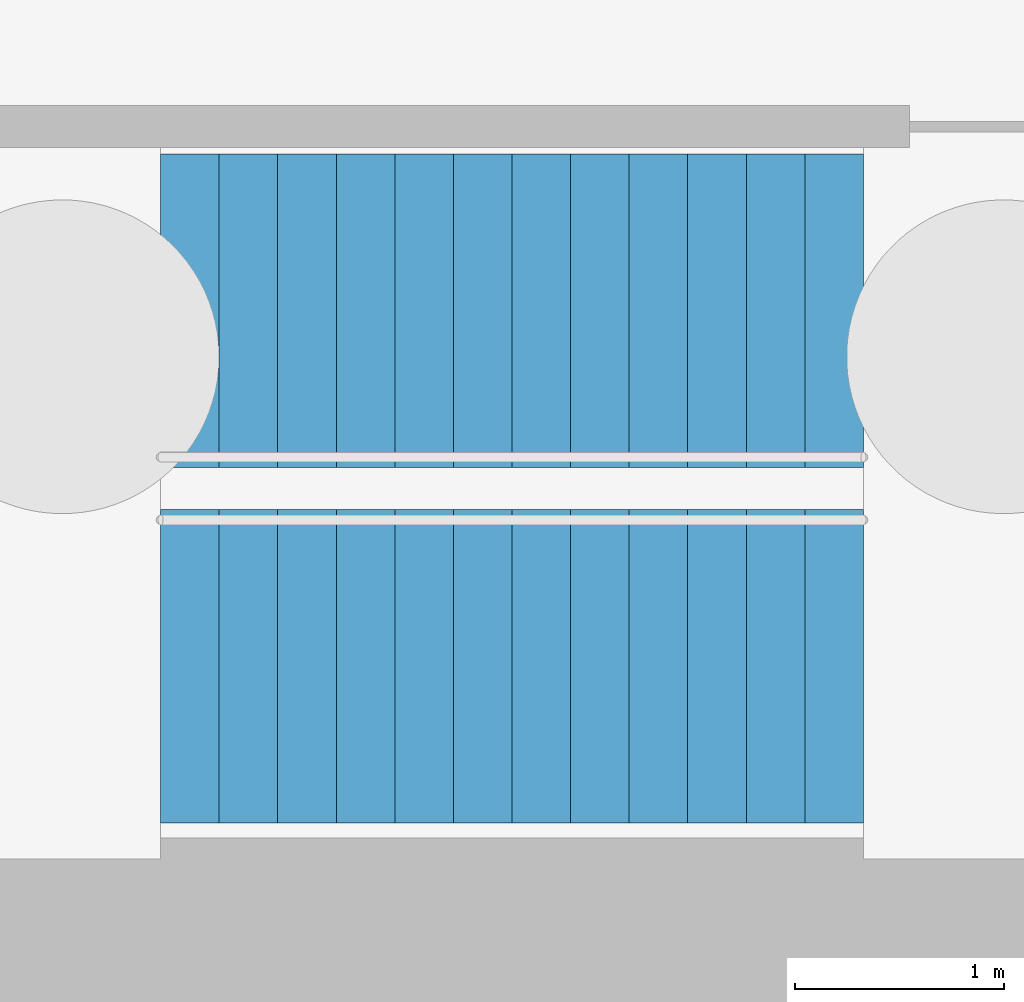
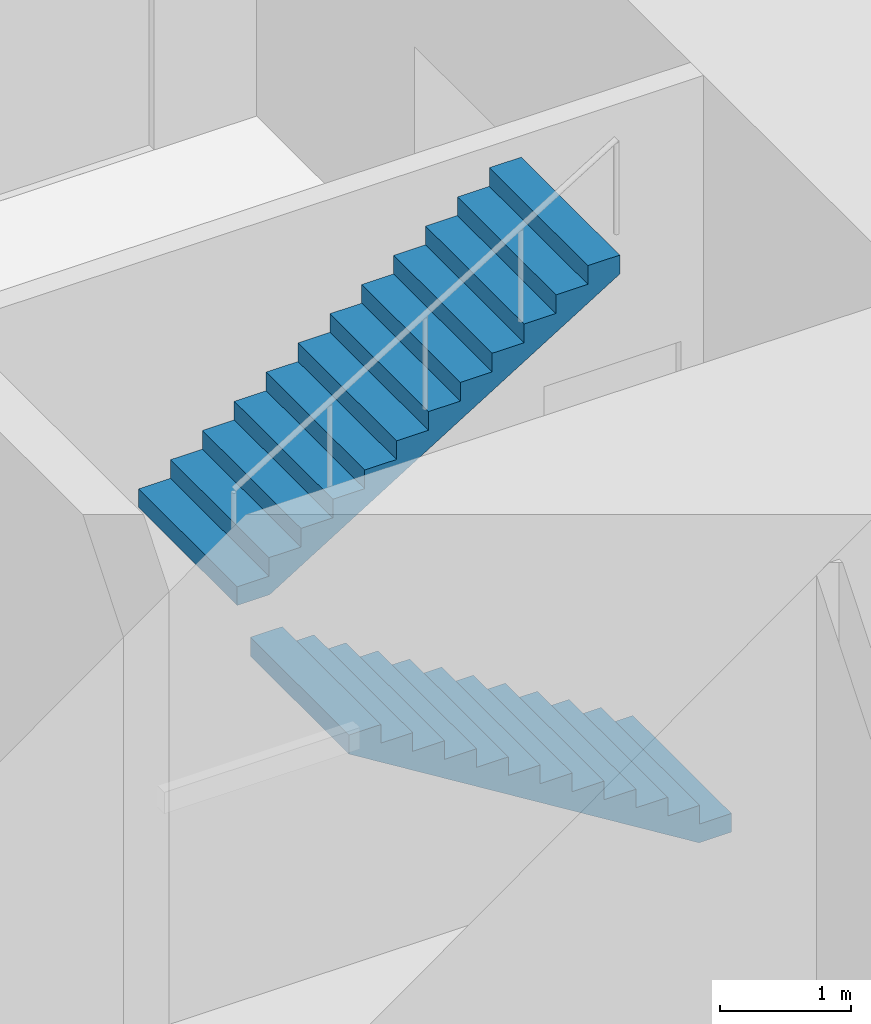
# One storey, part 9 of 11: 2 stair flights, 1 element without a shape of its own.
"""IFC4 building model written with IfcOpenShell, lengths in metres."""

from ifc_helpers import new_model, si_unit, direction, frame, origin, place, context, subcontext, project, spatial, triangles, material, type_object, element, aggregate, save


model = new_model("IFC4")

# Units and contexts
model_context = context("Model", 3, precision=1e-05, world=origin(), true_north=direction((0.0, 1.0)))
body_context = subcontext(model_context, "Body", "Model", "MODEL_VIEW")
ifc_project = project(units=[si_unit("LENGTHUNIT", "METRE"), si_unit("AREAUNIT", "SQUARE_METRE"), si_unit("VOLUMEUNIT", "CUBIC_METRE"), si_unit("PLANEANGLEUNIT", "RADIAN"), si_unit("MASSUNIT", "GRAM", prefix="KILO")], contexts=[model_context])

# Site, building, storey
site_placement = place(None, origin())
site = spatial("IfcSite", under=ifc_project, at=site_placement, CompositionType="ELEMENT")
building_placement = place(site_placement, origin())
building = spatial("IfcBuilding", under=site, at=building_placement, Name="Lantaw Convention Tower", CompositionType="ELEMENT")
storey_placement = place(building_placement, frame((0.0, 0.0, -10.0)))
storey = spatial("IfcBuildingStorey", under=building, at=storey_placement, Name="B2", CompositionType="ELEMENT", Elevation=-10.0)

# Stair, stair flights
ifc_material = material(Name="Concrete C35/45", Category="concrete")
stair_type = type_object("IfcStairType", Name="Exit stair 1500 riser 173.08 in 2 flights", PredefinedType="HALF_TURN_STAIR", material=ifc_material)
stair_placement = place(storey_placement, origin())
stair = element("IfcStair", 1, at=stair_placement, inside=storey, type_object=stair_type, Name="Exit stair S2 B2", PredefinedType="HALF_TURN_STAIR")
stair_flight_type = type_object("IfcStairFlightType", Name="Stair flight 1500 riser 173.08", PredefinedType="STRAIGHT", material=ifc_material)
stair_flight_1_placement = place(storey_placement, frame((10.580078125, -5.97998046875, 0.0), z_axis=(0.0, 0.0, 1.0), x_axis=(-1.0, 0.0, 0.0)))
stair_flight_1 = element("IfcStairFlight", 2, at=stair_flight_1_placement, type_object=stair_flight_type, Name="S2 flight 1", NumberOfRisers=13, NumberOfTreads=12, PredefinedType="STRAIGHT", RiserHeight=0.173076923, TreadLength=0.28, context=body_context, shape_type="Tessellation", body=[
    triangles([(0.0, 0.75, 0.0), (0.0, 0.75, 0.173076923), (0.28, 0.75, 0.0), (0.28, 0.75, 0.173076923), (0.28, 0.75, 0.346153846), (0.28509853184261624, 0.75, 0.0), (0.28509853184261624, 0.75, 0.346153846), (0.56, 0.75, 0.16992535798879452), (0.56, 0.75, 0.346153846), (0.56, 0.75, 0.519230769), (0.8400000000000001, 0.75, 0.34300228098879454), (0.8400000000000001, 0.75, 0.519230769), (0.8400000000000001, 0.75, 0.692307692), (1.12, 0.75, 0.5160792039887945), (1.12, 0.75, 0.692307692), (1.12, 0.75, 0.865384615), (1.4000000000000001, 0.75, 0.6891561269887945), (1.4000000000000001, 0.75, 0.865384615), (1.4000000000000001, 0.75, 1.038461538), (1.6800000000000002, 0.75, 0.8622330499887946), (1.6800000000000002, 0.75, 1.038461538), (1.6800000000000002, 0.75, 1.211538461), (1.9600000000000002, 0.75, 1.0353099729887945), (1.9600000000000002, 0.75, 1.211538461), (1.9600000000000002, 0.75, 1.384615384), (2.24, 0.75, 1.2083868959887945), (2.24, 0.75, 1.384615384), (2.24, 0.75, 1.557692307), (2.5200000000000005, 0.75, 1.3814638189887947), (2.5200000000000005, 0.75, 1.557692307), (2.5200000000000005, 0.75, 1.73076923), (2.8000000000000003, 0.75, 1.5545407419887944), (2.8000000000000003, 0.75, 1.73076923), (2.8000000000000003, 0.75, 1.903846153), (3.08, 0.75, 1.7276176649887944), (3.08, 0.75, 1.903846153), (3.08, 0.75, 2.076923076), (3.3600000000000003, 0.75, 1.9006945879887944), (3.3600000000000003, 0.75, 2.076923076), (0.0, -0.75, 0.0), (0.0, -0.75, 0.173076923), (0.28, -0.75, 0.0), (0.28, -0.75, 0.173076923), (0.28, -0.75, 0.346153846), (0.28509853184261624, -0.75, 0.0), (0.28509853184261624, -0.75, 0.346153846), (0.56, -0.75, 0.16992535798879452), (0.56, -0.75, 0.346153846), (0.56, -0.75, 0.519230769), (0.8400000000000001, -0.75, 0.34300228098879454), (0.8400000000000001, -0.75, 0.519230769), (0.8400000000000001, -0.75, 0.692307692), (1.12, -0.75, 0.5160792039887945), (1.12, -0.75, 0.692307692), (1.12, -0.75, 0.865384615), (1.4000000000000001, -0.75, 0.6891561269887945), (1.4000000000000001, -0.75, 0.865384615), (1.4000000000000001, -0.75, 1.038461538), (1.6800000000000002, -0.75, 0.8622330499887946), (1.6800000000000002, -0.75, 1.038461538), (1.6800000000000002, -0.75, 1.211538461), (1.9600000000000002, -0.75, 1.0353099729887945), (1.9600000000000002, -0.75, 1.211538461), (1.9600000000000002, -0.75, 1.384615384), (2.24, -0.75, 1.2083868959887945), (2.24, -0.75, 1.384615384), (2.24, -0.75, 1.557692307), (2.5200000000000005, -0.75, 1.3814638189887947), (2.5200000000000005, -0.75, 1.557692307), (2.5200000000000005, -0.75, 1.73076923), (2.8000000000000003, -0.75, 1.5545407419887944), (2.8000000000000003, -0.75, 1.73076923), (2.8000000000000003, -0.75, 1.903846153), (3.08, -0.75, 1.7276176649887944), (3.08, -0.75, 1.903846153), (3.08, -0.75, 2.076923076), (3.3600000000000003, -0.75, 1.9006945879887944), (3.3600000000000003, -0.75, 2.076923076), (0.0, 0.15000000000000002, 0.173076923), (0.0, 0.15000000000000002, 0.0), (0.0, 0.0, 0.173076923), (0.0, 0.0, 0.0), (0.0, -0.15000000000000002, 0.173076923), (0.0, -0.15000000000000002, 0.0), (0.28, 0.15000000000000002, 0.346153846), (0.28, 0.15000000000000002, 0.173076923), (0.28, 0.0, 0.346153846), (0.28, 0.0, 0.173076923), (0.28, -0.15000000000000002, 0.346153846), (0.28, -0.15000000000000002, 0.173076923), (0.56, 0.15000000000000002, 0.519230769), (0.56, 0.15000000000000002, 0.346153846), (0.56, 0.0, 0.519230769), (0.56, 0.0, 0.346153846), (0.56, -0.15000000000000002, 0.519230769), (0.56, -0.15000000000000002, 0.346153846), (0.8400000000000001, 0.15000000000000002, 0.692307692), (0.8400000000000001, 0.15000000000000002, 0.519230769), (0.8400000000000001, 0.0, 0.692307692), (0.8400000000000001, 0.0, 0.519230769), (0.8400000000000001, -0.15000000000000002, 0.692307692), (0.8400000000000001, -0.15000000000000002, 0.519230769), (1.12, 0.15000000000000002, 0.865384615), (1.12, 0.15000000000000002, 0.692307692), (1.12, 0.0, 0.865384615), (1.12, 0.0, 0.692307692), (1.12, -0.15000000000000002, 0.865384615), (1.12, -0.15000000000000002, 0.692307692), (1.4000000000000001, 0.15000000000000002, 1.038461538), (1.4000000000000001, 0.15000000000000002, 0.865384615), (1.4000000000000001, 0.0, 1.038461538), (1.4000000000000001, 0.0, 0.865384615), (1.4000000000000001, -0.15000000000000002, 1.038461538), (1.4000000000000001, -0.15000000000000002, 0.865384615), (1.6800000000000002, 0.15000000000000002, 1.211538461), (1.6800000000000002, 0.15000000000000002, 1.038461538), (1.6800000000000002, 0.0, 1.211538461), (1.6800000000000002, 0.0, 1.038461538), (1.6800000000000002, -0.15000000000000002, 1.211538461), (1.6800000000000002, -0.15000000000000002, 1.038461538), (1.9600000000000002, 0.15000000000000002, 1.384615384), (1.9600000000000002, 0.15000000000000002, 1.211538461), (1.9600000000000002, 0.0, 1.384615384), (1.9600000000000002, 0.0, 1.211538461), (1.9600000000000002, -0.15000000000000002, 1.384615384), (1.9600000000000002, -0.15000000000000002, 1.211538461), (2.24, 0.15000000000000002, 1.557692307), (2.24, 0.15000000000000002, 1.384615384), (2.24, 0.0, 1.557692307), (2.24, 0.0, 1.384615384), (2.24, -0.15000000000000002, 1.557692307), (2.24, -0.15000000000000002, 1.384615384), (2.5200000000000005, 0.15000000000000002, 1.73076923), (2.5200000000000005, 0.15000000000000002, 1.557692307), (2.5200000000000005, 0.0, 1.73076923), (2.5200000000000005, 0.0, 1.557692307), (2.5200000000000005, -0.15000000000000002, 1.73076923), (2.5200000000000005, -0.15000000000000002, 1.557692307), (2.8000000000000003, 0.15000000000000002, 1.903846153), (2.8000000000000003, 0.15000000000000002, 1.73076923), (2.8000000000000003, 0.0, 1.903846153), (2.8000000000000003, 0.0, 1.73076923), (2.8000000000000003, -0.15000000000000002, 1.903846153), (2.8000000000000003, -0.15000000000000002, 1.73076923), (3.08, 0.15000000000000002, 2.076923076), (3.08, 0.15000000000000002, 1.903846153), (3.08, 0.0, 2.076923076), (3.08, 0.0, 1.903846153), (3.08, -0.15000000000000002, 2.076923076), (3.08, -0.15000000000000002, 1.903846153), (0.28509853184261624, 0.15000000000000002, 0.346153846), (0.28509853184261624, 0.0, 0.346153846), (0.28509853184261624, -0.15000000000000002, 0.346153846), (3.3600000000000003, 0.15000000000000002, 2.076923076), (3.3600000000000003, 0.0, 2.076923076), (3.3600000000000003, -0.15000000000000002, 2.076923076), (3.3600000000000003, 0.15000000000000002, 1.9006945879887942), (3.3600000000000003, 0.0, 1.9006945879887942), (3.3600000000000003, -0.15000000000000002, 1.9006945879887942), (3.08, 0.15000000000000002, 1.7276176649887944), (3.08, 0.0, 1.7276176649887944), (3.08, -0.15000000000000002, 1.7276176649887944), (2.8000000000000003, 0.15000000000000002, 1.5545407419887944), (2.8000000000000003, 0.0, 1.5545407419887944), (2.8000000000000003, -0.15000000000000002, 1.5545407419887944), (2.5200000000000005, 0.15000000000000002, 1.3814638189887947), (2.5200000000000005, 0.0, 1.3814638189887947), (2.5200000000000005, -0.15000000000000002, 1.3814638189887947), (2.24, 0.15000000000000002, 1.2083868959887945), (2.24, 0.0, 1.2083868959887945), (2.24, -0.15000000000000002, 1.2083868959887945), (1.9600000000000002, 0.15000000000000002, 1.0353099729887945), (1.9600000000000002, 0.0, 1.0353099729887945), (1.9600000000000002, -0.15000000000000002, 1.0353099729887945), (1.6800000000000002, 0.15000000000000002, 0.8622330499887946), (1.6800000000000002, 0.0, 0.8622330499887946), (1.6800000000000002, -0.15000000000000002, 0.8622330499887946), (1.4000000000000001, 0.15000000000000002, 0.6891561269887945), (1.4000000000000001, 0.0, 0.6891561269887945), (1.4000000000000001, -0.15000000000000002, 0.6891561269887945), (1.12, 0.15000000000000002, 0.5160792039887945), (1.12, 0.0, 0.5160792039887945), (1.12, -0.15000000000000002, 0.5160792039887945), (0.8400000000000001, 0.15000000000000002, 0.34300228098879454), (0.8400000000000001, 0.0, 0.34300228098879454), (0.8400000000000001, -0.15000000000000002, 0.34300228098879454), (0.56, 0.15000000000000002, 0.16992535798879452), (0.56, 0.0, 0.16992535798879452), (0.56, -0.15000000000000002, 0.16992535798879452), (0.28509853184261624, 0.15000000000000002, 0.0), (0.28509853184261624, 0.0, 0.0), (0.28509853184261624, -0.15000000000000002, 0.0), (0.28, 0.15000000000000002, 0.0), (0.28, 0.0, 0.0), (0.28, -0.15000000000000002, 0.0)], [[1, 4, 3], [1, 2, 4], [3, 4, 6], [4, 7, 6], [4, 5, 7], [6, 9, 8], [6, 7, 9], [8, 9, 11], [9, 12, 11], [9, 10, 12], [11, 12, 14], [12, 15, 14], [12, 13, 15], [14, 15, 17], [15, 18, 17], [15, 16, 18], [17, 18, 20], [18, 21, 20], [18, 19, 21], [20, 21, 23], [21, 24, 23], [21, 22, 24], [23, 24, 26], [24, 27, 26], [24, 25, 27], [26, 27, 29], [27, 30, 29], [27, 28, 30], [29, 30, 32], [30, 33, 32], [30, 31, 33], [32, 33, 35], [33, 36, 35], [33, 34, 36], [35, 36, 38], [36, 39, 38], [36, 37, 39], [40, 42, 43], [40, 43, 41], [42, 45, 43], [43, 45, 46], [43, 46, 44], [45, 47, 48], [45, 48, 46], [47, 50, 48], [48, 50, 51], [48, 51, 49], [50, 53, 51], [51, 53, 54], [51, 54, 52], [53, 56, 54], [54, 56, 57], [54, 57, 55], [56, 59, 57], [57, 59, 60], [57, 60, 58], [59, 62, 60], [60, 62, 63], [60, 63, 61], [62, 65, 63], [63, 65, 66], [63, 66, 64], [65, 68, 66], [66, 68, 69], [66, 69, 67], [68, 71, 69], [69, 71, 72], [69, 72, 70], [71, 74, 72], [72, 74, 75], [72, 75, 73], [74, 77, 75], [75, 77, 78], [75, 78, 76], [1, 79, 2], [1, 80, 79], [80, 81, 79], [80, 82, 81], [82, 83, 81], [82, 84, 83], [84, 41, 83], [84, 40, 41], [4, 85, 5], [4, 86, 85], [86, 87, 85], [86, 88, 87], [88, 89, 87], [88, 90, 89], [90, 44, 89], [90, 43, 44], [9, 91, 10], [9, 92, 91], [92, 93, 91], [92, 94, 93], [94, 95, 93], [94, 96, 95], [96, 49, 95], [96, 48, 49], [12, 97, 13], [12, 98, 97], [98, 99, 97], [98, 100, 99], [100, 101, 99], [100, 102, 101], [102, 52, 101], [102, 51, 52], [15, 103, 16], [15, 104, 103], [104, 105, 103], [104, 106, 105], [106, 107, 105], [106, 108, 107], [108, 55, 107], [108, 54, 55], [18, 109, 19], [18, 110, 109], [110, 111, 109], [110, 112, 111], [112, 113, 111], [112, 114, 113], [114, 58, 113], [114, 57, 58], [21, 115, 22], [21, 116, 115], [116, 117, 115], [116, 118, 117], [118, 119, 117], [118, 120, 119], [120, 61, 119], [120, 60, 61], [24, 121, 25], [24, 122, 121], [122, 123, 121], [122, 124, 123], [124, 125, 123], [124, 126, 125], [126, 64, 125], [126, 63, 64], [27, 127, 28], [27, 128, 127], [128, 129, 127], [128, 130, 129], [130, 131, 129], [130, 132, 131], [132, 67, 131], [132, 66, 67], [30, 133, 31], [30, 134, 133], [134, 135, 133], [134, 136, 135], [136, 137, 135], [136, 138, 137], [138, 70, 137], [138, 69, 70], [33, 139, 34], [33, 140, 139], [140, 141, 139], [140, 142, 141], [142, 143, 141], [142, 144, 143], [144, 73, 143], [144, 72, 73], [36, 145, 37], [36, 146, 145], [146, 147, 145], [146, 148, 147], [148, 149, 147], [148, 150, 149], [150, 76, 149], [150, 75, 76], [2, 86, 4], [2, 79, 86], [79, 88, 86], [79, 81, 88], [81, 90, 88], [81, 83, 90], [83, 43, 90], [83, 41, 43], [5, 151, 7], [5, 85, 151], [85, 152, 151], [85, 87, 152], [87, 153, 152], [87, 89, 153], [89, 46, 153], [89, 44, 46], [7, 92, 9], [7, 151, 92], [151, 94, 92], [151, 152, 94], [152, 96, 94], [152, 153, 96], [153, 48, 96], [153, 46, 48], [10, 98, 12], [10, 91, 98], [91, 100, 98], [91, 93, 100], [93, 102, 100], [93, 95, 102], [95, 51, 102], [95, 49, 51], [13, 104, 15], [13, 97, 104], [97, 106, 104], [97, 99, 106], [99, 108, 106], [99, 101, 108], [101, 54, 108], [101, 52, 54], [16, 110, 18], [16, 103, 110], [103, 112, 110], [103, 105, 112], [105, 114, 112], [105, 107, 114], [107, 57, 114], [107, 55, 57], [19, 116, 21], [19, 109, 116], [109, 118, 116], [109, 111, 118], [111, 120, 118], [111, 113, 120], [113, 60, 120], [113, 58, 60], [22, 122, 24], [22, 115, 122], [115, 124, 122], [115, 117, 124], [117, 126, 124], [117, 119, 126], [119, 63, 126], [119, 61, 63], [25, 128, 27], [25, 121, 128], [121, 130, 128], [121, 123, 130], [123, 132, 130], [123, 125, 132], [125, 66, 132], [125, 64, 66], [28, 134, 30], [28, 127, 134], [127, 136, 134], [127, 129, 136], [129, 138, 136], [129, 131, 138], [131, 69, 138], [131, 67, 69], [31, 140, 33], [31, 133, 140], [133, 142, 140], [133, 135, 142], [135, 144, 142], [135, 137, 144], [137, 72, 144], [137, 70, 72], [34, 146, 36], [34, 139, 146], [139, 148, 146], [139, 141, 148], [141, 150, 148], [141, 143, 150], [143, 75, 150], [143, 73, 75], [37, 154, 39], [37, 145, 154], [145, 155, 154], [145, 147, 155], [147, 156, 155], [147, 149, 156], [149, 78, 156], [149, 76, 78], [39, 157, 38], [39, 154, 157], [154, 158, 157], [154, 155, 158], [155, 159, 158], [155, 156, 159], [156, 77, 159], [156, 78, 77], [38, 160, 35], [38, 157, 160], [157, 161, 160], [157, 158, 161], [158, 162, 161], [158, 159, 162], [159, 74, 162], [159, 77, 74], [35, 163, 32], [35, 160, 163], [160, 164, 163], [160, 161, 164], [161, 165, 164], [161, 162, 165], [162, 71, 165], [162, 74, 71], [32, 166, 29], [32, 163, 166], [163, 167, 166], [163, 164, 167], [164, 168, 167], [164, 165, 168], [165, 68, 168], [165, 71, 68], [29, 169, 26], [29, 166, 169], [166, 170, 169], [166, 167, 170], [167, 171, 170], [167, 168, 171], [168, 65, 171], [168, 68, 65], [26, 172, 23], [26, 169, 172], [169, 173, 172], [169, 170, 173], [170, 174, 173], [170, 171, 174], [171, 62, 174], [171, 65, 62], [23, 175, 20], [23, 172, 175], [172, 176, 175], [172, 173, 176], [173, 177, 176], [173, 174, 177], [174, 59, 177], [174, 62, 59], [20, 178, 17], [20, 175, 178], [175, 179, 178], [175, 176, 179], [176, 180, 179], [176, 177, 180], [177, 56, 180], [177, 59, 56], [17, 181, 14], [17, 178, 181], [178, 182, 181], [178, 179, 182], [179, 183, 182], [179, 180, 183], [180, 53, 183], [180, 56, 53], [14, 184, 11], [14, 181, 184], [181, 185, 184], [181, 182, 185], [182, 186, 185], [182, 183, 186], [183, 50, 186], [183, 53, 50], [11, 187, 8], [11, 184, 187], [184, 188, 187], [184, 185, 188], [185, 189, 188], [185, 186, 189], [186, 47, 189], [186, 50, 47], [8, 190, 6], [8, 187, 190], [187, 191, 190], [187, 188, 191], [188, 192, 191], [188, 189, 192], [189, 45, 192], [189, 47, 45], [6, 193, 3], [6, 190, 193], [190, 194, 193], [190, 191, 194], [191, 195, 194], [191, 192, 195], [192, 42, 195], [192, 45, 42], [3, 80, 1], [3, 193, 80], [193, 82, 80], [193, 194, 82], [194, 84, 82], [194, 195, 84], [195, 40, 84], [195, 42, 40]], closed=True),
])
stair_flight_2_placement = place(storey_placement, frame((7.219970703125, -4.280029296875, 2.25), z_axis=(0.0, 0.0, 1.0), x_axis=(1.0, 0.0, 0.0)))
stair_flight_2 = element("IfcStairFlight", 3, at=stair_flight_2_placement, type_object=stair_flight_type, Name="S2 flight 2", NumberOfRisers=13, NumberOfTreads=12, PredefinedType="STRAIGHT", RiserHeight=0.173076923, TreadLength=0.28, context=body_context, shape_type="Tessellation", body=[
    triangles([(0.0, 0.75, 0.0), (0.0, 0.75, 0.173076923), (0.28, 0.75, 0.0), (0.28, 0.75, 0.173076923), (0.28, 0.75, 0.346153846), (0.28509853184261624, 0.75, 0.0), (0.28509853184261624, 0.75, 0.346153846), (0.56, 0.75, 0.16992535798879452), (0.56, 0.75, 0.346153846), (0.56, 0.75, 0.519230769), (0.8400000000000001, 0.75, 0.34300228098879454), (0.8400000000000001, 0.75, 0.519230769), (0.8400000000000001, 0.75, 0.692307692), (1.12, 0.75, 0.5160792039887945), (1.12, 0.75, 0.692307692), (1.12, 0.75, 0.865384615), (1.4000000000000001, 0.75, 0.6891561269887945), (1.4000000000000001, 0.75, 0.865384615), (1.4000000000000001, 0.75, 1.038461538), (1.6800000000000002, 0.75, 0.8622330499887946), (1.6800000000000002, 0.75, 1.038461538), (1.6800000000000002, 0.75, 1.211538461), (1.9600000000000002, 0.75, 1.0353099729887945), (1.9600000000000002, 0.75, 1.211538461), (1.9600000000000002, 0.75, 1.384615384), (2.24, 0.75, 1.2083868959887945), (2.24, 0.75, 1.384615384), (2.24, 0.75, 1.557692307), (2.5200000000000005, 0.75, 1.3814638189887947), (2.5200000000000005, 0.75, 1.557692307), (2.5200000000000005, 0.75, 1.73076923), (2.8000000000000003, 0.75, 1.5545407419887944), (2.8000000000000003, 0.75, 1.73076923), (2.8000000000000003, 0.75, 1.903846153), (3.08, 0.75, 1.7276176649887944), (3.08, 0.75, 1.903846153), (3.08, 0.75, 2.076923076), (3.3600000000000003, 0.75, 1.9006945879887944), (3.3600000000000003, 0.75, 2.076923076), (0.0, -0.75, 0.0), (0.0, -0.75, 0.173076923), (0.28, -0.75, 0.0), (0.28, -0.75, 0.173076923), (0.28, -0.75, 0.346153846), (0.28509853184261624, -0.75, 0.0), (0.28509853184261624, -0.75, 0.346153846), (0.56, -0.75, 0.16992535798879452), (0.56, -0.75, 0.346153846), (0.56, -0.75, 0.519230769), (0.8400000000000001, -0.75, 0.34300228098879454), (0.8400000000000001, -0.75, 0.519230769), (0.8400000000000001, -0.75, 0.692307692), (1.12, -0.75, 0.5160792039887945), (1.12, -0.75, 0.692307692), (1.12, -0.75, 0.865384615), (1.4000000000000001, -0.75, 0.6891561269887945), (1.4000000000000001, -0.75, 0.865384615), (1.4000000000000001, -0.75, 1.038461538), (1.6800000000000002, -0.75, 0.8622330499887946), (1.6800000000000002, -0.75, 1.038461538), (1.6800000000000002, -0.75, 1.211538461), (1.9600000000000002, -0.75, 1.0353099729887945), (1.9600000000000002, -0.75, 1.211538461), (1.9600000000000002, -0.75, 1.384615384), (2.24, -0.75, 1.2083868959887945), (2.24, -0.75, 1.384615384), (2.24, -0.75, 1.557692307), (2.5200000000000005, -0.75, 1.3814638189887947), (2.5200000000000005, -0.75, 1.557692307), (2.5200000000000005, -0.75, 1.73076923), (2.8000000000000003, -0.75, 1.5545407419887944), (2.8000000000000003, -0.75, 1.73076923), (2.8000000000000003, -0.75, 1.903846153), (3.08, -0.75, 1.7276176649887944), (3.08, -0.75, 1.903846153), (3.08, -0.75, 2.076923076), (3.3600000000000003, -0.75, 1.9006945879887944), (3.3600000000000003, -0.75, 2.076923076), (0.0, 0.15000000000000002, 0.173076923), (0.0, 0.15000000000000002, 0.0), (0.0, 0.0, 0.173076923), (0.0, 0.0, 0.0), (0.0, -0.15000000000000002, 0.173076923), (0.0, -0.15000000000000002, 0.0), (0.28, 0.15000000000000002, 0.346153846), (0.28, 0.15000000000000002, 0.173076923), (0.28, 0.0, 0.346153846), (0.28, 0.0, 0.173076923), (0.28, -0.15000000000000002, 0.346153846), (0.28, -0.15000000000000002, 0.173076923), (0.56, 0.15000000000000002, 0.519230769), (0.56, 0.15000000000000002, 0.346153846), (0.56, 0.0, 0.519230769), (0.56, 0.0, 0.346153846), (0.56, -0.15000000000000002, 0.519230769), (0.56, -0.15000000000000002, 0.346153846), (0.8400000000000001, 0.15000000000000002, 0.692307692), (0.8400000000000001, 0.15000000000000002, 0.519230769), (0.8400000000000001, 0.0, 0.692307692), (0.8400000000000001, 0.0, 0.519230769), (0.8400000000000001, -0.15000000000000002, 0.692307692), (0.8400000000000001, -0.15000000000000002, 0.519230769), (1.12, 0.15000000000000002, 0.865384615), (1.12, 0.15000000000000002, 0.692307692), (1.12, 0.0, 0.865384615), (1.12, 0.0, 0.692307692), (1.12, -0.15000000000000002, 0.865384615), (1.12, -0.15000000000000002, 0.692307692), (1.4000000000000001, 0.15000000000000002, 1.038461538), (1.4000000000000001, 0.15000000000000002, 0.865384615), (1.4000000000000001, 0.0, 1.038461538), (1.4000000000000001, 0.0, 0.865384615), (1.4000000000000001, -0.15000000000000002, 1.038461538), (1.4000000000000001, -0.15000000000000002, 0.865384615), (1.6800000000000002, 0.15000000000000002, 1.211538461), (1.6800000000000002, 0.15000000000000002, 1.038461538), (1.6800000000000002, 0.0, 1.211538461), (1.6800000000000002, 0.0, 1.038461538), (1.6800000000000002, -0.15000000000000002, 1.211538461), (1.6800000000000002, -0.15000000000000002, 1.038461538), (1.9600000000000002, 0.15000000000000002, 1.384615384), (1.9600000000000002, 0.15000000000000002, 1.211538461), (1.9600000000000002, 0.0, 1.384615384), (1.9600000000000002, 0.0, 1.211538461), (1.9600000000000002, -0.15000000000000002, 1.384615384), (1.9600000000000002, -0.15000000000000002, 1.211538461), (2.24, 0.15000000000000002, 1.557692307), (2.24, 0.15000000000000002, 1.384615384), (2.24, 0.0, 1.557692307), (2.24, 0.0, 1.384615384), (2.24, -0.15000000000000002, 1.557692307), (2.24, -0.15000000000000002, 1.384615384), (2.5200000000000005, 0.15000000000000002, 1.73076923), (2.5200000000000005, 0.15000000000000002, 1.557692307), (2.5200000000000005, 0.0, 1.73076923), (2.5200000000000005, 0.0, 1.557692307), (2.5200000000000005, -0.15000000000000002, 1.73076923), (2.5200000000000005, -0.15000000000000002, 1.557692307), (2.8000000000000003, 0.15000000000000002, 1.903846153), (2.8000000000000003, 0.15000000000000002, 1.73076923), (2.8000000000000003, 0.0, 1.903846153), (2.8000000000000003, 0.0, 1.73076923), (2.8000000000000003, -0.15000000000000002, 1.903846153), (2.8000000000000003, -0.15000000000000002, 1.73076923), (3.08, 0.15000000000000002, 2.076923076), (3.08, 0.15000000000000002, 1.903846153), (3.08, 0.0, 2.076923076), (3.08, 0.0, 1.903846153), (3.08, -0.15000000000000002, 2.076923076), (3.08, -0.15000000000000002, 1.903846153), (0.28509853184261624, 0.15000000000000002, 0.346153846), (0.28509853184261624, 0.0, 0.346153846), (0.28509853184261624, -0.15000000000000002, 0.346153846), (3.3600000000000003, 0.15000000000000002, 2.076923076), (3.3600000000000003, 0.0, 2.076923076), (3.3600000000000003, -0.15000000000000002, 2.076923076), (3.3600000000000003, 0.15000000000000002, 1.9006945879887942), (3.3600000000000003, 0.0, 1.9006945879887942), (3.3600000000000003, -0.15000000000000002, 1.9006945879887942), (3.08, 0.15000000000000002, 1.7276176649887944), (3.08, 0.0, 1.7276176649887944), (3.08, -0.15000000000000002, 1.7276176649887944), (2.8000000000000003, 0.15000000000000002, 1.5545407419887944), (2.8000000000000003, 0.0, 1.5545407419887944), (2.8000000000000003, -0.15000000000000002, 1.5545407419887944), (2.5200000000000005, 0.15000000000000002, 1.3814638189887947), (2.5200000000000005, 0.0, 1.3814638189887947), (2.5200000000000005, -0.15000000000000002, 1.3814638189887947), (2.24, 0.15000000000000002, 1.2083868959887945), (2.24, 0.0, 1.2083868959887945), (2.24, -0.15000000000000002, 1.2083868959887945), (1.9600000000000002, 0.15000000000000002, 1.0353099729887945), (1.9600000000000002, 0.0, 1.0353099729887945), (1.9600000000000002, -0.15000000000000002, 1.0353099729887945), (1.6800000000000002, 0.15000000000000002, 0.8622330499887946), (1.6800000000000002, 0.0, 0.8622330499887946), (1.6800000000000002, -0.15000000000000002, 0.8622330499887946), (1.4000000000000001, 0.15000000000000002, 0.6891561269887945), (1.4000000000000001, 0.0, 0.6891561269887945), (1.4000000000000001, -0.15000000000000002, 0.6891561269887945), (1.12, 0.15000000000000002, 0.5160792039887945), (1.12, 0.0, 0.5160792039887945), (1.12, -0.15000000000000002, 0.5160792039887945), (0.8400000000000001, 0.15000000000000002, 0.34300228098879454), (0.8400000000000001, 0.0, 0.34300228098879454), (0.8400000000000001, -0.15000000000000002, 0.34300228098879454), (0.56, 0.15000000000000002, 0.16992535798879452), (0.56, 0.0, 0.16992535798879452), (0.56, -0.15000000000000002, 0.16992535798879452), (0.28509853184261624, 0.15000000000000002, 0.0), (0.28509853184261624, 0.0, 0.0), (0.28509853184261624, -0.15000000000000002, 0.0), (0.28, 0.15000000000000002, 0.0), (0.28, 0.0, 0.0), (0.28, -0.15000000000000002, 0.0)], [[1, 4, 3], [1, 2, 4], [3, 4, 6], [4, 7, 6], [4, 5, 7], [6, 9, 8], [6, 7, 9], [8, 9, 11], [9, 12, 11], [9, 10, 12], [11, 12, 14], [12, 15, 14], [12, 13, 15], [14, 15, 17], [15, 18, 17], [15, 16, 18], [17, 18, 20], [18, 21, 20], [18, 19, 21], [20, 21, 23], [21, 24, 23], [21, 22, 24], [23, 24, 26], [24, 27, 26], [24, 25, 27], [26, 27, 29], [27, 30, 29], [27, 28, 30], [29, 30, 32], [30, 33, 32], [30, 31, 33], [32, 33, 35], [33, 36, 35], [33, 34, 36], [35, 36, 38], [36, 39, 38], [36, 37, 39], [40, 42, 43], [40, 43, 41], [42, 45, 43], [43, 45, 46], [43, 46, 44], [45, 47, 48], [45, 48, 46], [47, 50, 48], [48, 50, 51], [48, 51, 49], [50, 53, 51], [51, 53, 54], [51, 54, 52], [53, 56, 54], [54, 56, 57], [54, 57, 55], [56, 59, 57], [57, 59, 60], [57, 60, 58], [59, 62, 60], [60, 62, 63], [60, 63, 61], [62, 65, 63], [63, 65, 66], [63, 66, 64], [65, 68, 66], [66, 68, 69], [66, 69, 67], [68, 71, 69], [69, 71, 72], [69, 72, 70], [71, 74, 72], [72, 74, 75], [72, 75, 73], [74, 77, 75], [75, 77, 78], [75, 78, 76], [1, 79, 2], [1, 80, 79], [80, 81, 79], [80, 82, 81], [82, 83, 81], [82, 84, 83], [84, 41, 83], [84, 40, 41], [4, 85, 5], [4, 86, 85], [86, 87, 85], [86, 88, 87], [88, 89, 87], [88, 90, 89], [90, 44, 89], [90, 43, 44], [9, 91, 10], [9, 92, 91], [92, 93, 91], [92, 94, 93], [94, 95, 93], [94, 96, 95], [96, 49, 95], [96, 48, 49], [12, 97, 13], [12, 98, 97], [98, 99, 97], [98, 100, 99], [100, 101, 99], [100, 102, 101], [102, 52, 101], [102, 51, 52], [15, 103, 16], [15, 104, 103], [104, 105, 103], [104, 106, 105], [106, 107, 105], [106, 108, 107], [108, 55, 107], [108, 54, 55], [18, 109, 19], [18, 110, 109], [110, 111, 109], [110, 112, 111], [112, 113, 111], [112, 114, 113], [114, 58, 113], [114, 57, 58], [21, 115, 22], [21, 116, 115], [116, 117, 115], [116, 118, 117], [118, 119, 117], [118, 120, 119], [120, 61, 119], [120, 60, 61], [24, 121, 25], [24, 122, 121], [122, 123, 121], [122, 124, 123], [124, 125, 123], [124, 126, 125], [126, 64, 125], [126, 63, 64], [27, 127, 28], [27, 128, 127], [128, 129, 127], [128, 130, 129], [130, 131, 129], [130, 132, 131], [132, 67, 131], [132, 66, 67], [30, 133, 31], [30, 134, 133], [134, 135, 133], [134, 136, 135], [136, 137, 135], [136, 138, 137], [138, 70, 137], [138, 69, 70], [33, 139, 34], [33, 140, 139], [140, 141, 139], [140, 142, 141], [142, 143, 141], [142, 144, 143], [144, 73, 143], [144, 72, 73], [36, 145, 37], [36, 146, 145], [146, 147, 145], [146, 148, 147], [148, 149, 147], [148, 150, 149], [150, 76, 149], [150, 75, 76], [2, 86, 4], [2, 79, 86], [79, 88, 86], [79, 81, 88], [81, 90, 88], [81, 83, 90], [83, 43, 90], [83, 41, 43], [5, 151, 7], [5, 85, 151], [85, 152, 151], [85, 87, 152], [87, 153, 152], [87, 89, 153], [89, 46, 153], [89, 44, 46], [7, 92, 9], [7, 151, 92], [151, 94, 92], [151, 152, 94], [152, 96, 94], [152, 153, 96], [153, 48, 96], [153, 46, 48], [10, 98, 12], [10, 91, 98], [91, 100, 98], [91, 93, 100], [93, 102, 100], [93, 95, 102], [95, 51, 102], [95, 49, 51], [13, 104, 15], [13, 97, 104], [97, 106, 104], [97, 99, 106], [99, 108, 106], [99, 101, 108], [101, 54, 108], [101, 52, 54], [16, 110, 18], [16, 103, 110], [103, 112, 110], [103, 105, 112], [105, 114, 112], [105, 107, 114], [107, 57, 114], [107, 55, 57], [19, 116, 21], [19, 109, 116], [109, 118, 116], [109, 111, 118], [111, 120, 118], [111, 113, 120], [113, 60, 120], [113, 58, 60], [22, 122, 24], [22, 115, 122], [115, 124, 122], [115, 117, 124], [117, 126, 124], [117, 119, 126], [119, 63, 126], [119, 61, 63], [25, 128, 27], [25, 121, 128], [121, 130, 128], [121, 123, 130], [123, 132, 130], [123, 125, 132], [125, 66, 132], [125, 64, 66], [28, 134, 30], [28, 127, 134], [127, 136, 134], [127, 129, 136], [129, 138, 136], [129, 131, 138], [131, 69, 138], [131, 67, 69], [31, 140, 33], [31, 133, 140], [133, 142, 140], [133, 135, 142], [135, 144, 142], [135, 137, 144], [137, 72, 144], [137, 70, 72], [34, 146, 36], [34, 139, 146], [139, 148, 146], [139, 141, 148], [141, 150, 148], [141, 143, 150], [143, 75, 150], [143, 73, 75], [37, 154, 39], [37, 145, 154], [145, 155, 154], [145, 147, 155], [147, 156, 155], [147, 149, 156], [149, 78, 156], [149, 76, 78], [39, 157, 38], [39, 154, 157], [154, 158, 157], [154, 155, 158], [155, 159, 158], [155, 156, 159], [156, 77, 159], [156, 78, 77], [38, 160, 35], [38, 157, 160], [157, 161, 160], [157, 158, 161], [158, 162, 161], [158, 159, 162], [159, 74, 162], [159, 77, 74], [35, 163, 32], [35, 160, 163], [160, 164, 163], [160, 161, 164], [161, 165, 164], [161, 162, 165], [162, 71, 165], [162, 74, 71], [32, 166, 29], [32, 163, 166], [163, 167, 166], [163, 164, 167], [164, 168, 167], [164, 165, 168], [165, 68, 168], [165, 71, 68], [29, 169, 26], [29, 166, 169], [166, 170, 169], [166, 167, 170], [167, 171, 170], [167, 168, 171], [168, 65, 171], [168, 68, 65], [26, 172, 23], [26, 169, 172], [169, 173, 172], [169, 170, 173], [170, 174, 173], [170, 171, 174], [171, 62, 174], [171, 65, 62], [23, 175, 20], [23, 172, 175], [172, 176, 175], [172, 173, 176], [173, 177, 176], [173, 174, 177], [174, 59, 177], [174, 62, 59], [20, 178, 17], [20, 175, 178], [175, 179, 178], [175, 176, 179], [176, 180, 179], [176, 177, 180], [177, 56, 180], [177, 59, 56], [17, 181, 14], [17, 178, 181], [178, 182, 181], [178, 179, 182], [179, 183, 182], [179, 180, 183], [180, 53, 183], [180, 56, 53], [14, 184, 11], [14, 181, 184], [181, 185, 184], [181, 182, 185], [182, 186, 185], [182, 183, 186], [183, 50, 186], [183, 53, 50], [11, 187, 8], [11, 184, 187], [184, 188, 187], [184, 185, 188], [185, 189, 188], [185, 186, 189], [186, 47, 189], [186, 50, 47], [8, 190, 6], [8, 187, 190], [187, 191, 190], [187, 188, 191], [188, 192, 191], [188, 189, 192], [189, 45, 192], [189, 47, 45], [6, 193, 3], [6, 190, 193], [190, 194, 193], [190, 191, 194], [191, 195, 194], [191, 192, 195], [192, 42, 195], [192, 45, 42], [3, 80, 1], [3, 193, 80], [193, 82, 80], [193, 194, 82], [194, 84, 82], [194, 195, 84], [195, 40, 84], [195, 42, 40]], closed=True),
])
aggregate(stair, [stair_flight_1, stair_flight_2])

save(model, "model.ifc")
